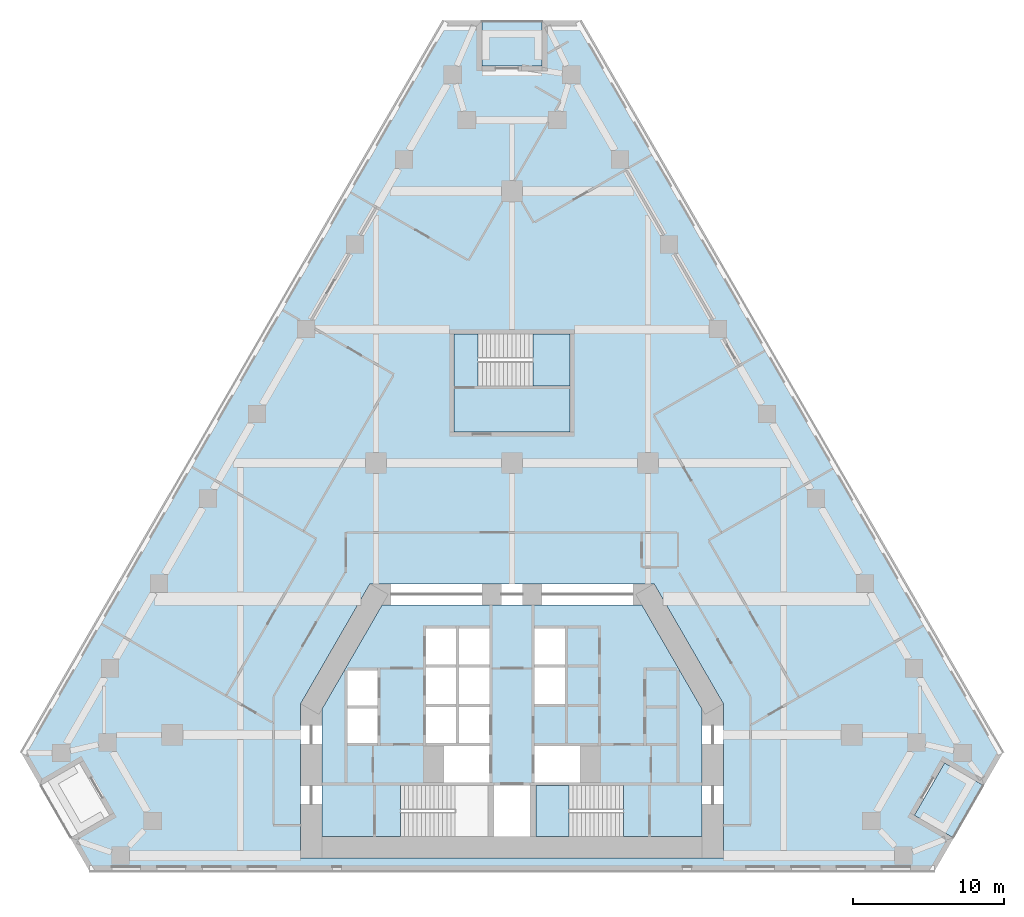
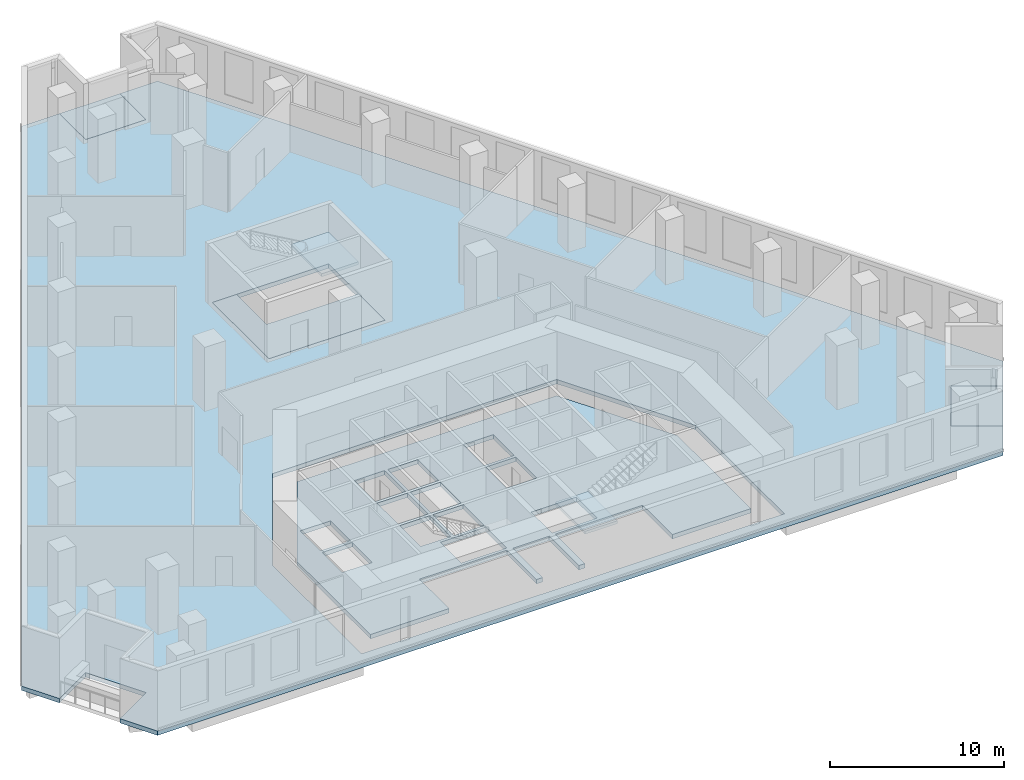
# One storey, part 2 of 14: 7 slabs, 2 elements without a shape of their own.
"""IFC4 building model written with IfcOpenShell, lengths in metres."""

from ifc_helpers import new_model, si_unit, direction, frame, origin, place, context, subcontext, project, spatial, polyline, outline, extrude, material, layer, layer_set, type_object, element, aggregate, save


model = new_model("IFC4")

# Units and contexts
model_context = context("Model", 3, precision=1e-05, world=origin(), true_north=direction((0.0, 1.0)))
body_context = subcontext(model_context, "Body", "Model", "MODEL_VIEW")
ifc_project = project(units=[si_unit("LENGTHUNIT", "METRE"), si_unit("AREAUNIT", "SQUARE_METRE"), si_unit("VOLUMEUNIT", "CUBIC_METRE"), si_unit("PLANEANGLEUNIT", "RADIAN"), si_unit("MASSUNIT", "GRAM", prefix="KILO")], contexts=[model_context])

# Site, building, storey
site_placement = place(None, origin())
site = spatial("IfcSite", under=ifc_project, at=site_placement, CompositionType="ELEMENT")
building_placement = place(site_placement, origin())
building = spatial("IfcBuilding", under=site, at=building_placement, Name="Fogline Exchange Tower", CompositionType="ELEMENT")
storey_placement = place(building_placement, frame((0.0, 0.0, 34.0)))
storey = spatial("IfcBuildingStorey", under=building, at=storey_placement, Name="L06", CompositionType="ELEMENT", Elevation=34.0)

# Slabs
ifc_material = material(Name="Concrete C40", Category="concrete")
ifc_layer_1 = layer(ifc_material, 0.25)
ifc_layer_set_1 = layer_set([ifc_layer_1], Name="DK1")
slab_type_1 = type_object("IfcSlabType", Name="DK1", PredefinedType="FLOOR", material=ifc_layer_set_1)
slab_1_placement = place(storey_placement, frame((0.0, 0.0, -0.25)))
element("IfcSlab", 1, at=slab_1_placement, inside=storey, type_object=slab_type_1, Name="Balcony L06 SE", PredefinedType="FLOOR", context=body_context, shape_type="SweptSolid", body=[
    extrude(outline(polyline([(29.25, 2.1650390625), (31.25, 5.629150390625), (28.65185546875, 7.129150390625), (26.65185546875, 3.6650390625), (29.25, 2.1650390625)])), origin(), (0.0, 0.0, 1.0), 0.25),
])
slab_2_placement = place(storey_placement, frame((0.0, 0.0, -0.25)))
element("IfcSlab", 2, at=slab_2_placement, inside=storey, type_object=slab_type_1, Name="Balcony L06 N", PredefinedType="FLOOR", context=body_context, shape_type="SweptSolid", body=[
    extrude(outline(polyline([(2.0, 56.291748046875), (-2.0, 56.291748046875), (-2.0, 53.291748046875), (2.0, 53.291748046875), (2.0, 56.291748046875)])), origin(), (0.0, 0.0, 1.0), 0.25),
])
ifc_layer_2 = layer(ifc_material, 0.300048828125)
ifc_layer_set_2 = layer_set([ifc_layer_2], Name="S04")
slab_type_2 = type_object("IfcSlabType", Name="S04", PredefinedType="FLOOR", material=ifc_layer_set_2)
slab_3_placement = place(storey_placement, frame((0.0, 0.0, -0.300048828125)))
element("IfcSlab", 3, at=slab_3_placement, inside=storey, type_object=slab_type_2, Name="SLAB L06", PredefinedType="FLOOR", context=body_context, shape_type="SweptSolid", body=[
    extrude(outline(polyline([(-2.0, 56.291748046875), (-4.5, 56.291748046875), (-32.5, 7.794189453125), (-31.25, 5.629150390625), (-28.65185546875, 7.129150390625), (-26.65185546875, 3.6650390625), (-29.25, 2.1650390625), (-28.0, 0.0), (28.0, 0.0), (29.25, 2.1650390625), (26.65185546875, 3.6650390625), (28.65185546875, 7.129150390625), (31.25, 5.629150390625), (32.5, 7.794189453125), (4.5, 56.291748046875), (2.0, 56.291748046875), (2.0, 53.291748046875), (-2.0, 53.291748046875), (-2.0, 56.291748046875)]), holes=[polyline([(14.0, 11.052490234375), (14.0, 0.85009765625), (-14.0, 0.85009765625), (-14.0, 11.052490234375), (-9.41162109375, 19.0), (9.41162109375, 19.0), (14.0, 11.052490234375)]), polyline([(3.85009765625, 35.556884765625), (3.85009765625, 29.056884765625), (-3.85009765625, 29.056884765625), (-3.85009765625, 35.556884765625), (3.85009765625, 35.556884765625)])]), origin(), (0.0, 0.0, 1.0), 0.300048828125),
])
slab_4_placement = place(storey_placement, frame((0.0, 0.0, -0.300048828125)))
element("IfcSlab", 4, at=slab_4_placement, inside=storey, type_object=slab_type_2, Name="Core floor slab", PredefinedType="FLOOR", context=body_context, shape_type="SweptSolid", body=[
    extrude(outline(polyline([(-12.60009765625, 2.25), (-12.60009765625, 10.677490234375), (-8.603271484375, 17.60009765625), (8.603271484375, 17.60009765625), (12.60009765625, 10.677490234375), (12.60009765625, 2.25), (7.389892578125, 2.25), (7.389892578125, 5.64990234375), (1.60009765625, 5.64990234375), (1.60009765625, 2.25), (1.199951171875, 2.25), (1.199951171875, 5.64990234375), (-1.199951171875, 5.64990234375), (-1.199951171875, 2.25), (-1.60009765625, 2.25), (-1.60009765625, 5.64990234375), (-7.389892578125, 5.64990234375), (-7.389892578125, 2.25), (-12.60009765625, 2.25)]), holes=[polyline([(-1.5, 8.25), (-4.5, 8.25), (-4.5, 5.85009765625), (-1.5, 5.85009765625), (-1.5, 8.25)]), polyline([(-8.89990234375, 10.75), (-10.89990234375, 10.75), (-10.89990234375, 8.449951171875), (-8.89990234375, 8.449951171875), (-8.89990234375, 10.75)]), polyline([(-3.699951171875, 10.85009765625), (-5.699951171875, 10.85009765625), (-5.699951171875, 8.449951171875), (-3.699951171875, 8.449951171875), (-3.699951171875, 10.85009765625)]), polyline([(-1.5, 10.85009765625), (-3.5, 10.85009765625), (-3.5, 8.449951171875), (-1.5, 8.449951171875), (-1.5, 10.85009765625)]), polyline([(-8.89990234375, 13.25), (-10.89990234375, 13.25), (-10.89990234375, 10.949951171875), (-8.89990234375, 10.949951171875), (-8.89990234375, 13.25)]), polyline([(-3.699951171875, 13.449951171875), (-5.699951171875, 13.449951171875), (-5.699951171875, 11.050048828125), (-3.699951171875, 11.050048828125), (-3.699951171875, 13.449951171875)]), polyline([(-3.699951171875, 16.050048828125), (-5.699951171875, 16.050048828125), (-5.699951171875, 13.64990234375), (-3.699951171875, 13.64990234375), (-3.699951171875, 16.050048828125)]), polyline([(4.5, 8.25), (1.5, 8.25), (1.5, 5.85009765625), (4.5, 5.85009765625), (4.5, 8.25)]), polyline([(-1.5, 13.449951171875), (-3.5, 13.449951171875), (-3.5, 11.050048828125), (-1.5, 11.050048828125), (-1.5, 13.449951171875)]), polyline([(3.5, 13.449951171875), (1.5, 13.449951171875), (1.5, 11.050048828125), (3.5, 11.050048828125), (3.5, 13.449951171875)]), polyline([(-1.5, 16.050048828125), (-3.5, 16.050048828125), (-3.5, 13.64990234375), (-1.5, 13.64990234375), (-1.5, 16.050048828125)]), polyline([(3.5, 16.050048828125), (1.5, 16.050048828125), (1.5, 13.64990234375), (3.5, 13.64990234375), (3.5, 16.050048828125)])]), origin(), (0.0, 0.0, 1.0), 0.300048828125),
])
slab_5_placement = place(storey_placement, frame((0.0, 0.0, -0.300048828125)))
element("IfcSlab", 5, at=slab_5_placement, inside=storey, type_object=slab_type_2, Name="Stair enclosure floor slab", PredefinedType="FLOOR", context=body_context, shape_type="SweptSolid", body=[
    extrude(outline(polyline([(3.85009765625, 29.056884765625), (-3.85009765625, 29.056884765625), (-3.85009765625, 35.556884765625), (-2.239990234375, 35.556884765625), (-2.239990234375, 32.10693359375), (3.85009765625, 32.10693359375), (3.85009765625, 29.056884765625)])), origin(), (0.0, 0.0, 1.0), 0.300048828125),
])

# Stair, slab
stair_type = type_object("IfcStairType", Name="STR28-1607", PredefinedType="HALF_TURN_STAIR", material=ifc_material)
stair_1_placement = place(storey_placement, origin())
stair_1 = element("IfcStair", 6, at=stair_1_placement, inside=storey, type_object=stair_type, Name="Stair ST2", PredefinedType="HALF_TURN_STAIR")
ifc_layer_3 = layer(ifc_material, 0.199951171875)
ifc_layer_set_3 = layer_set([ifc_layer_3], Name="SL200")
slab_type_3 = type_object("IfcSlabType", Name="SL200", PredefinedType="LANDING", material=ifc_layer_set_3)
slab_6_placement = place(storey_placement, frame((0.0, 0.0, 2.050048828125)))
slab_6 = element("IfcSlab", 7, at=slab_6_placement, type_object=slab_type_3, Name="ST2 landing 1", PredefinedType="LANDING", context=body_context, shape_type="SweptSolid", body=[
    extrude(outline(polyline([(1.60009765625, 2.25), (3.760009765625, 2.25), (3.760009765625, 5.64990234375), (1.60009765625, 5.64990234375), (1.60009765625, 2.25)])), origin(), (0.0, 0.0, 1.0), 0.199951171875),
])
aggregate(stair_1, [slab_6])

stair_2_placement = place(storey_placement, origin())
stair_2 = element("IfcStair", 8, at=stair_2_placement, inside=storey, type_object=stair_type, Name="Stair ST3", PredefinedType="HALF_TURN_STAIR")
slab_7_placement = place(storey_placement, frame((0.0, 0.0, 2.050048828125)))
slab_7 = element("IfcSlab", 9, at=slab_7_placement, type_object=slab_type_3, Name="ST3 landing 1", PredefinedType="LANDING", context=body_context, shape_type="SweptSolid", body=[
    extrude(outline(polyline([(1.389892578125, 32.10693359375), (3.85009765625, 32.10693359375), (3.85009765625, 35.556884765625), (1.389892578125, 35.556884765625), (1.389892578125, 32.10693359375)])), origin(), (0.0, 0.0, 1.0), 0.199951171875),
])
aggregate(stair_2, [slab_7])

save(model, "model.ifc")
